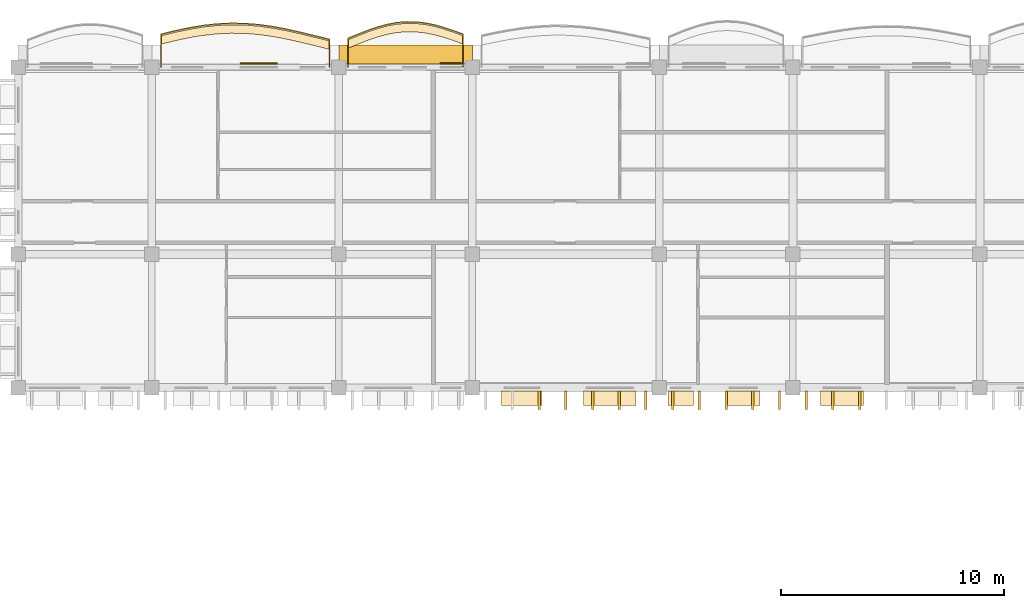
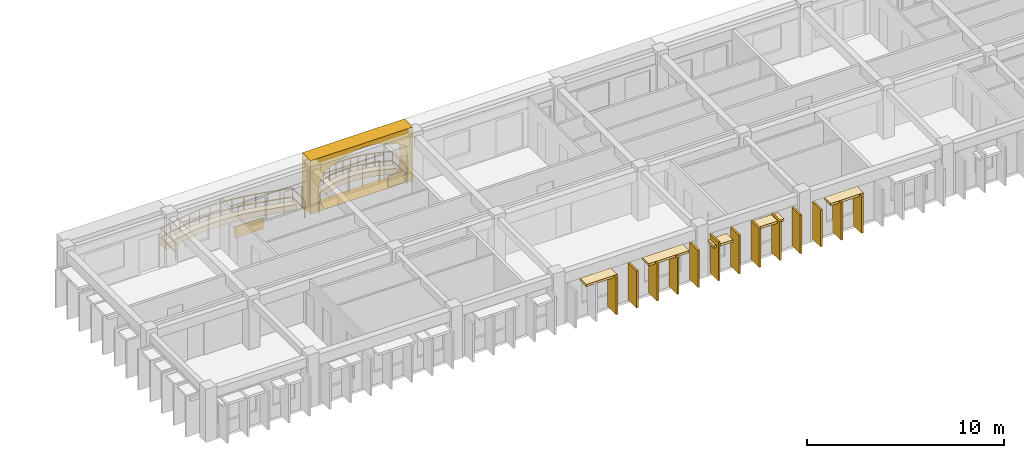
# One storey, part 53 of 66: 23 coverings, 2 railings.
"""IFC4 building model written with IfcOpenShell, lengths in metres."""

from ifc_helpers import new_model, si_unit, direction, frame, origin, origin_2d, place, context, subcontext, project, spatial, polyline, rectangle, outline, extrude, material, layer, layer_set, type_object, element, save


model = new_model("IFC4")

# Units and contexts
model_context = context("Model", 3, precision=1e-05, world=origin(), true_north=direction((0.0, 1.0)))
body_context = subcontext(model_context, "Body", "Model", "MODEL_VIEW")
ifc_project = project(units=[si_unit("LENGTHUNIT", "METRE"), si_unit("AREAUNIT", "SQUARE_METRE"), si_unit("VOLUMEUNIT", "CUBIC_METRE"), si_unit("PLANEANGLEUNIT", "RADIAN"), si_unit("MASSUNIT", "GRAM", prefix="KILO"), si_unit("THERMODYNAMICTEMPERATUREUNIT", "KELVIN")], contexts=[model_context])

# Site, building, storey
site_placement = place(None, origin())
site = spatial("IfcSite", under=ifc_project, at=site_placement, CompositionType="ELEMENT")
building_placement = place(site_placement, origin())
building = spatial("IfcBuilding", under=site, at=building_placement, Name="Thalorik Housing Commons", CompositionType="ELEMENT")
storey_placement = place(building_placement, frame((0.0, 0.0, 21.300048828125)))
storey = spatial("IfcBuildingStorey", under=building, at=storey_placement, Name="L06", CompositionType="ELEMENT", Elevation=21.300048828125)

# Coverings
ifc_material_1 = material(Name="Cobalt blue glazed ceramic facade tile panel", Category="masonry")
ifc_layer_1 = layer(ifc_material_1, 0.06005859375, Name="Cobalt blue glazed ceramic facade tile panel", Category="masonry")
ifc_layer_set_1 = layer_set([ifc_layer_1], Name="Cobalt blue glazed ceramic facade tile panel")
covering_type_1 = type_object("IfcCoveringType", Name="ARC-CLD-BLU-60", PredefinedType="CLADDING", material=ifc_layer_set_1)
covering_1_placement = place(storey_placement, frame((91.20654296875, 123.7724609375, 0.0498046875), z_axis=(0.0, 0.0, 1.0), x_axis=(-1.0, 0.0, 0.0)))
element("IfcCovering", 1, at=covering_1_placement, inside=storey, type_object=covering_type_1, Name="L06 De Stijl Recessed Window Spandrel 2385", PredefinedType="CLADDING", context=body_context, shape_type="SweptSolid", body=[
    extrude(rectangle(XDim=1.679931640625, YDim=0.06005859375, at=origin_2d()), origin(), (0.0, 0.0, 1.0), 0.699951171875),
])
ifc_material_2 = material(Name="Precast concrete C40/50", Category="concrete")
ifc_layer_2 = layer(ifc_material_2, 0.85009765625, Name="Precast concrete C40/50", Category="concrete")
ifc_layer_set_2 = layer_set([ifc_layer_2], Name="Precast concrete C40/50")
covering_type_2 = type_object("IfcCoveringType", Name="ARC-CLD-CUSH-850", PredefinedType="CLADDING", material=ifc_layer_set_2)
covering_2_placement = place(storey_placement, frame((97.800048828125, 124.16259765625, 0.0), z_axis=(0.0, 0.0, 1.0), x_axis=(-1.0, 0.0, 0.0)))
element("IfcCovering", 2, at=covering_2_placement, inside=storey, type_object=covering_type_2, Name="L06 White Precast Curved Cushion Bay Frame 2382", PredefinedType="CLADDING", context=body_context, shape_type="SweptSolid", body=[
    extrude(outline(polyline([(-3.0, 0.0), (3.0, 0.0), (3.0, 3.300048828125), (-3.0, 3.300048828125), (-3.0, 0.0)]), holes=[polyline([(2.14501953125, 0.02490234375), (2.3701171875, 0.407470703125), (2.5048828125, 0.7900390625), (2.550048828125, 1.172607421875), (2.5048828125, 1.554931640625), (2.3701171875, 1.9375), (2.14501953125, 2.320068359375), (1.75341796875, 2.539306640625), (1.36181640625, 2.711181640625), (0.969970703125, 2.8505859375), (0.578369140625, 2.954345703125), (0.186767578125, 3.018310546875), (-0.205078125, 3.0400390625), (-0.5966796875, 3.018310546875), (-0.98828125, 2.954345703125), (-1.3798828125, 2.8505859375), (-1.771728515625, 2.711181640625), (-2.163330078125, 2.539306640625), (-2.554931640625, 2.320068359375), (-2.64892578125, 1.9375), (-2.705322265625, 1.554931640625), (-2.72412109375, 1.172607421875), (-2.705322265625, 0.7900390625), (-2.64892578125, 0.407470703125), (-2.554931640625, 0.02490234375), (2.14501953125, 0.02490234375)])]), frame((0.0, 0.425048828125, 0.0), z_axis=(0.0, -1.0, 0.0), x_axis=(1.0, 0.0, 0.0)), (0.0, 0.0, 1.0), 0.85009765625),
])
ifc_layer_3 = layer(ifc_material_2, 0.85009765625, Name="Precast concrete C40/50", Category="concrete")
ifc_layer_set_3 = layer_set([ifc_layer_3], Name="Precast concrete C40/50")
covering_type_3 = type_object("IfcCoveringType", Name="ARC-CLD-FIN-850", PredefinedType="CLADDING", material=ifc_layer_set_3)
for number, where, z_axis, x_axis, name in (
    (3, (103.800048828125, 108.637451171875, 0.0400390625), (0.0, 0.0, 1.0), (1.0, 0.0, 0.0), "L06 Courtyard Precast Vertical Brise-Soleil Fin 2431"),
    (4, (105.0, 108.637451171875, 0.0400390625), (0.0, 0.0, 1.0), (1.0, 0.0, 0.0), "L06 Courtyard Precast Vertical Brise-Soleil Fin 2432"),
    (5, (106.199951171875, 108.637451171875, 0.0400390625), (0.0, 0.0, 1.0), (1.0, 0.0, 0.0), "L06 Courtyard Precast Vertical Brise-Soleil Fin 2433"),
    (6, (107.39990234375, 108.637451171875, 0.0400390625), (0.0, 0.0, 1.0), (1.0, 0.0, 0.0), "L06 Courtyard Precast Vertical Brise-Soleil Fin 2434"),
    (7, (108.60009765625, 108.637451171875, 0.0400390625), (0.0, 0.0, 1.0), (1.0, 0.0, 0.0), "L06 Courtyard Precast Vertical Brise-Soleil Fin 2435"),
):
    element("IfcCovering", number, at=place(storey_placement, frame(where, z_axis=z_axis, x_axis=x_axis)), inside=storey, type_object=covering_type_3, Name=name, PredefinedType="CLADDING", context=body_context, shape_type="SweptSolid", body=[
        extrude(rectangle(XDim=0.110107421875, YDim=0.85009765625, at=origin_2d()), origin(), (0.0, 0.0, 1.0), 2.294921875),
    ])
for number, where, z_axis, x_axis, name in (
    (8, (109.800048828125, 108.637451171875, 0.0400390625), (0.0, 0.0, 1.0), (1.0, 0.0, 0.0), "L06 Courtyard Precast Vertical Brise-Soleil Fin 2438"),
    (9, (111.0, 108.637451171875, 0.0400390625), (0.0, 0.0, 1.0), (1.0, 0.0, 0.0), "L06 Courtyard Precast Vertical Brise-Soleil Fin 2439"),
    (10, (112.199951171875, 108.637451171875, 0.0400390625), (0.0, 0.0, 1.0), (1.0, 0.0, 0.0), "L06 Courtyard Precast Vertical Brise-Soleil Fin 2440"),
    (11, (113.39990234375, 108.637451171875, 0.0400390625), (0.0, 0.0, 1.0), (1.0, 0.0, 0.0), "L06 Courtyard Precast Vertical Brise-Soleil Fin 2441"),
    (12, (114.60009765625, 108.637451171875, 0.0400390625), (0.0, 0.0, 1.0), (1.0, 0.0, 0.0), "L06 Courtyard Precast Vertical Brise-Soleil Fin 2442"),
):
    element("IfcCovering", number, at=place(storey_placement, frame(where, z_axis=z_axis, x_axis=x_axis)), inside=storey, type_object=covering_type_3, Name=name, PredefinedType="CLADDING", context=body_context, shape_type="SweptSolid", body=[
        extrude(rectangle(XDim=0.110107421875, YDim=0.85009765625, at=origin_2d()), origin(), (0.0, 0.0, 1.0), 2.39501953125),
    ])
for number, where, z_axis, x_axis, name in (
    (13, (115.800048828125, 108.637451171875, 0.0400390625), (0.0, 0.0, 1.0), (1.0, 0.0, 0.0), "L06 Courtyard Precast Vertical Brise-Soleil Fin 2445"),
    (14, (117.0, 108.637451171875, 0.0400390625), (0.0, 0.0, 1.0), (1.0, 0.0, 0.0), "L06 Courtyard Precast Vertical Brise-Soleil Fin 2446"),
    (15, (118.199951171875, 108.637451171875, 0.0400390625), (0.0, 0.0, 1.0), (1.0, 0.0, 0.0), "L06 Courtyard Precast Vertical Brise-Soleil Fin 2447"),
):
    element("IfcCovering", number, at=place(storey_placement, frame(where, z_axis=z_axis, x_axis=x_axis)), inside=storey, type_object=covering_type_3, Name=name, PredefinedType="CLADDING", context=body_context, shape_type="SweptSolid", body=[
        extrude(rectangle(XDim=0.110107421875, YDim=0.85009765625, at=origin_2d()), origin(), (0.0, 0.0, 1.0), 2.294921875),
    ])
ifc_layer_4 = layer(ifc_material_2, 0.64990234375, Name="Precast concrete C40/50", Category="concrete")
ifc_layer_set_4 = layer_set([ifc_layer_4], Name="Precast concrete C40/50")
covering_type_4 = type_object("IfcCoveringType", Name="ARC-CLD-HOOD-650", PredefinedType="CLADDING", material=ifc_layer_set_4)
covering_3_placement = place(storey_placement, frame((103.030029296875, 108.737548828125, 2.22509765625), z_axis=(0.0, 0.0, 1.0), x_axis=(1.0, 0.0, 0.0)))
element("IfcCovering", 16, at=covering_3_placement, inside=storey, type_object=covering_type_4, Name="L06 Courtyard Precast Window Sun-Hood 2436", PredefinedType="CLADDING", context=body_context, shape_type="SweptSolid", body=[
    extrude(rectangle(XDim=1.820068359375, YDim=0.64990234375, at=origin_2d()), origin(), (0.0, 0.0, 1.0), 0.139892578125),
])
covering_4_placement = place(storey_placement, frame((106.969970703125, 108.737548828125, 2.22509765625), z_axis=(0.0, 0.0, 1.0), x_axis=(1.0, 0.0, 0.0)))
element("IfcCovering", 17, at=covering_4_placement, inside=storey, type_object=covering_type_4, Name="L06 Courtyard Precast Window Sun-Hood 2437", PredefinedType="CLADDING", context=body_context, shape_type="SweptSolid", body=[
    extrude(rectangle(XDim=2.360107421875, YDim=0.64990234375, at=origin_2d()), origin(), (0.0, 0.0, 1.0), 0.139892578125),
])
covering_5_placement = place(storey_placement, frame((110.1650390625, 108.737548828125, 1.990234375), z_axis=(0.0, 0.0, 1.0), x_axis=(1.0, 0.0, 0.0)))
element("IfcCovering", 18, at=covering_5_placement, inside=storey, type_object=covering_type_4, Name="L06 Courtyard Precast Window Sun-Hood 2443", PredefinedType="CLADDING", context=body_context, shape_type="SweptSolid", body=[
    extrude(rectangle(XDim=1.139892578125, YDim=0.64990234375, at=origin_2d()), origin(), (0.0, 0.0, 1.0), 0.139892578125),
])
covering_6_placement = place(storey_placement, frame((112.97509765625, 108.737548828125, 2.240234375), z_axis=(0.0, 0.0, 1.0), x_axis=(1.0, 0.0, 0.0)))
element("IfcCovering", 19, at=covering_6_placement, inside=storey, type_object=covering_type_4, Name="L06 Courtyard Precast Window Sun-Hood 2444", PredefinedType="CLADDING", context=body_context, shape_type="SweptSolid", body=[
    extrude(rectangle(XDim=1.489990234375, YDim=0.64990234375, at=origin_2d()), origin(), (0.0, 0.0, 1.0), 0.139892578125),
])
covering_7_placement = place(storey_placement, frame((117.409912109375, 108.737548828125, 2.22509765625), z_axis=(0.0, 0.0, 1.0), x_axis=(1.0, 0.0, 0.0)))
element("IfcCovering", 20, at=covering_7_placement, inside=storey, type_object=covering_type_4, Name="L06 Courtyard Precast Window Sun-Hood 2452", PredefinedType="CLADDING", context=body_context, shape_type="SweptSolid", body=[
    extrude(rectangle(XDim=1.919921875, YDim=0.64990234375, at=origin_2d()), origin(), (0.0, 0.0, 1.0), 0.139892578125),
])
ifc_material_3 = material(Name="Terracotta red mineral fibre-cement panel", Category="masonry")
ifc_layer_5 = layer(ifc_material_3, 0.054931640625, Name="Terracotta red mineral fibre-cement panel", Category="masonry")
ifc_layer_set_5 = layer_set([ifc_layer_5], Name="Terracotta red mineral fibre-cement panel")
covering_type_5 = type_object("IfcCoveringType", Name="ARC-CLD-RED-55", PredefinedType="CLADDING", material=ifc_layer_set_5)
covering_8_placement = place(storey_placement, frame((99.830078125, 123.77001953125, 0.0498046875), z_axis=(0.0, 0.0, 1.0), x_axis=(-1.0, 0.0, 0.0)))
element("IfcCovering", 21, at=covering_8_placement, inside=storey, type_object=covering_type_5, Name="L06 De Stijl Recessed Window Spandrel 2383", PredefinedType="CLADDING", context=body_context, shape_type="SweptSolid", body=[
    extrude(rectangle(XDim=0.949951171875, YDim=0.054931640625, at=origin_2d()), origin(), (0.0, 0.0, 1.0), 0.699951171875),
])
ifc_material_4 = material(Name="Planted vegetated substrate and terracotta trough", Category="masonry")
ifc_layer_6 = layer(ifc_material_4, 0.340087890625, Name="Planted vegetated substrate and terracotta trough", Category="masonry")
ifc_layer_set_6 = layer_set([ifc_layer_6], Name="Planted vegetated substrate and terracotta trough")
covering_type_6 = type_object("IfcCoveringType", Name="ARC-COV-PLANTER", PredefinedType="USERDEFINED", material=ifc_layer_set_6)
covering_9_placement = place(storey_placement, origin())
element("IfcCovering", 22, at=covering_9_placement, inside=storey, type_object=covering_type_6, Name="L06 Balcony Slab-Edge Planted Trough 5486", ObjectType="PLANTER", PredefinedType="USERDEFINED", context=body_context, shape_type="SweptSolid", body=[
    extrude(outline(polyline([(94.3798828125, 124.78271484375), (93.75, 124.938720703125), (93.1201171875, 125.0927734375), (92.489990234375, 125.234619140625), (91.860107421875, 125.35400390625), (91.22998046875, 125.443115234375), (90.60009765625, 125.49560546875), (89.969970703125, 125.507080078125), (89.340087890625, 125.477294921875), (88.7099609375, 125.40771484375), (88.080078125, 125.302978515625), (87.449951171875, 125.170166015625), (86.820068359375, 125.017822265625), (86.820068359375, 124.6376953125), (87.449951171875, 124.7900390625), (88.080078125, 124.923095703125), (88.7099609375, 125.02783203125), (89.340087890625, 125.097412109375), (89.969970703125, 125.127197265625), (90.60009765625, 125.115478515625), (91.22998046875, 125.063232421875), (91.860107421875, 124.97412109375), (92.489990234375, 124.8544921875), (93.1201171875, 124.712890625), (93.75, 124.55859375), (94.3798828125, 124.402587890625), (94.3798828125, 124.78271484375)])), origin(), (0.0, 0.0, 1.0), 0.33984375),
])
covering_10_placement = place(storey_placement, origin())
element("IfcCovering", 23, at=covering_10_placement, inside=storey, type_object=covering_type_6, Name="L06 Balcony Slab-Edge Planted Trough 5487", ObjectType="PLANTER", PredefinedType="USERDEFINED", context=body_context, shape_type="SweptSolid", body=[
    extrude(outline(polyline([(100.3798828125, 125.017578125), (99.949951171875, 125.17578125), (99.52001953125, 125.31884765625), (99.090087890625, 125.43701171875), (98.659912109375, 125.522216796875), (98.22998046875, 125.56787109375), (97.800048828125, 125.570556640625), (97.3701171875, 125.529296875), (96.93994140625, 125.446533203125), (96.510009765625, 125.3271484375), (96.080078125, 125.17822265625), (95.64990234375, 125.009521484375), (95.219970703125, 124.83154296875), (95.219970703125, 124.45166015625), (95.64990234375, 124.62939453125), (96.080078125, 124.798095703125), (96.510009765625, 124.947021484375), (96.93994140625, 125.066650390625), (97.3701171875, 125.1494140625), (97.800048828125, 125.1904296875), (98.22998046875, 125.187744140625), (98.659912109375, 125.14208984375), (99.090087890625, 125.05712890625), (99.52001953125, 124.938720703125), (99.949951171875, 124.795654296875), (100.3798828125, 124.6376953125), (100.3798828125, 125.017578125)])), origin(), (0.0, 0.0, 1.0), 0.33984375),
])

# Railings
ifc_material_5 = material(Name="Steel S355", Category="steel")
railing_type_1 = type_object("IfcRailingType", Name="ARC-RL-BAL-112", PredefinedType="BALUSTRADE", material=ifc_material_5)
railing_1_placement = place(storey_placement, frame((94.3798828125, 123.60009765625, 0.0)))
element("IfcRailing", 24, at=railing_1_placement, inside=storey, type_object=railing_type_1, Name="L06 Cushion Balcony Guardrail 170", PredefinedType="BALUSTRADE", context=body_context, shape_type="SweptSolid", body=[
    extrude(rectangle(XDim=0.050048828125, YDim=0.050048828125, at=origin_2d()), frame((0.0, 0.0, 1.09521484375), z_axis=(0.0, 1.0, 0.0), x_axis=(-1.0, 0.0, 0.0)), (0.0, 0.0, 1.0), 1.25244140625),
    extrude(rectangle(XDim=0.050048828125, YDim=0.050048828125, at=origin_2d()), frame((0.0, 0.0, 0.53515625), z_axis=(0.0, 1.0, 0.0), x_axis=(-1.0, 0.0, 0.0)), (0.0, 0.0, 1.0), 1.25244140625),
    extrude(rectangle(XDim=0.050048828125, YDim=0.050048828125, at=origin_2d()), frame((0.0, 1.25244140625, 1.09521484375), z_axis=(-0.970583467402, 0.240764891139, 0.0), x_axis=(-0.240764891139, -0.970583467402, 0.0)), (0.0, 0.0, 1.0), 0.64892578125),
    extrude(rectangle(XDim=0.050048828125, YDim=0.050048828125, at=origin_2d()), frame((0.0, 1.25244140625, 0.53515625), z_axis=(-0.970583467402, 0.240764891139, 0.0), x_axis=(-0.240764891139, -0.970583467402, 0.0)), (0.0, 0.0, 1.0), 0.64892578125),
    extrude(rectangle(XDim=0.050048828125, YDim=0.050048828125, at=origin_2d()), frame((-0.6298828125, 1.40869140625, 1.09521484375), z_axis=(-0.971370051234, 0.23757151253, 0.0), x_axis=(-0.23757151253, -0.971370051234, 0.0)), (0.0, 0.0, 1.0), 0.6484375),
    extrude(rectangle(XDim=0.050048828125, YDim=0.050048828125, at=origin_2d()), frame((-0.6298828125, 1.40869140625, 0.53515625), z_axis=(-0.971370051234, 0.23757151253, 0.0), x_axis=(-0.23757151253, -0.971370051234, 0.0)), (0.0, 0.0, 1.0), 0.6484375),
    extrude(rectangle(XDim=0.050048828125, YDim=0.050048828125, at=origin_2d()), frame((-1.259765625, 1.562744140625, 1.09521484375), z_axis=(-0.975587490028, 0.219611132006, 0.0), x_axis=(-0.219611132006, -0.975587490028, 0.0)), (0.0, 0.0, 1.0), 0.64599609375),
    extrude(rectangle(XDim=0.050048828125, YDim=0.050048828125, at=origin_2d()), frame((-1.259765625, 1.562744140625, 0.53515625), z_axis=(-0.975587490028, 0.219611132006, 0.0), x_axis=(-0.219611132006, -0.975587490028, 0.0)), (0.0, 0.0, 1.0), 0.64599609375),
    extrude(rectangle(XDim=0.050048828125, YDim=0.050048828125, at=origin_2d()), frame((-1.889892578125, 1.70458984375, 1.09521484375), z_axis=(-0.982508153778, 0.186219568681, 0.0), x_axis=(-0.186219568681, -0.982508153778, 0.0)), (0.0, 0.0, 1.0), 0.64111328125),
    extrude(rectangle(XDim=0.050048828125, YDim=0.050048828125, at=origin_2d()), frame((-1.889892578125, 1.70458984375, 0.53515625), z_axis=(-0.982508153778, 0.186219568681, 0.0), x_axis=(-0.186219568681, -0.982508153778, 0.0)), (0.0, 0.0, 1.0), 0.64111328125),
    extrude(rectangle(XDim=0.050048828125, YDim=0.050048828125, at=origin_2d()), frame((-2.519775390625, 1.823974609375, 1.09521484375), z_axis=(-0.990147996171, 0.140024803798, 0.0), x_axis=(-0.140024803798, -0.990147996171, 0.0)), (0.0, 0.0, 1.0), 0.636474609375),
    extrude(rectangle(XDim=0.050048828125, YDim=0.050048828125, at=origin_2d()), frame((-2.519775390625, 1.823974609375, 0.53515625), z_axis=(-0.990147996171, 0.140024803798, 0.0), x_axis=(-0.140024803798, -0.990147996171, 0.0)), (0.0, 0.0, 1.0), 0.636474609375),
    extrude(rectangle(XDim=0.050048828125, YDim=0.050048828125, at=origin_2d()), frame((-3.14990234375, 1.9130859375, 1.09521484375), z_axis=(-0.996577651619, 0.082661867227, 0.0), x_axis=(-0.082661867227, -0.996577651619, 0.0)), (0.0, 0.0, 1.0), 0.632080078125),
    extrude(rectangle(XDim=0.050048828125, YDim=0.050048828125, at=origin_2d()), frame((-3.14990234375, 1.9130859375, 0.53515625), z_axis=(-0.996577651619, 0.082661867227, 0.0), x_axis=(-0.082661867227, -0.996577651619, 0.0)), (0.0, 0.0, 1.0), 0.632080078125),
    extrude(rectangle(XDim=0.050048828125, YDim=0.050048828125, at=origin_2d()), frame((-3.77978515625, 1.96533203125, 1.09521484375), z_axis=(-0.999827112405, 0.018594227584, 0.0), x_axis=(-0.018594227584, -0.999827112405, 0.0)), (0.0, 0.0, 1.0), 0.630126953125),
    extrude(rectangle(XDim=0.050048828125, YDim=0.050048828125, at=origin_2d()), frame((-3.77978515625, 1.96533203125, 0.53515625), z_axis=(-0.999827112405, 0.018594227584, 0.0), x_axis=(-0.018594227584, -0.999827112405, 0.0)), (0.0, 0.0, 1.0), 0.630126953125),
    extrude(rectangle(XDim=0.050048828125, YDim=0.050048828125, at=origin_2d()), frame((-4.409912109375, 1.97705078125, 1.09521484375), z_axis=(-0.998883849719, -0.047234042506, 0.0), x_axis=(0.047234042506, -0.998883849719, 0.0)), (0.0, 0.0, 1.0), 0.630615234375),
    extrude(rectangle(XDim=0.050048828125, YDim=0.050048828125, at=origin_2d()), frame((-4.409912109375, 1.97705078125, 0.53515625), z_axis=(-0.998883849719, -0.047234042506, 0.0), x_axis=(0.047234042506, -0.998883849719, 0.0)), (0.0, 0.0, 1.0), 0.630615234375),
    extrude(rectangle(XDim=0.050048828125, YDim=0.050048828125, at=origin_2d()), frame((-5.039794921875, 1.947265625, 1.09521484375), z_axis=(-0.993958647225, -0.109755216761, 0.0), x_axis=(0.109755216761, -0.993958647225, 0.0)), (0.0, 0.0, 1.0), 0.634033203125),
    extrude(rectangle(XDim=0.050048828125, YDim=0.050048828125, at=origin_2d()), frame((-5.039794921875, 1.947265625, 0.53515625), z_axis=(-0.993958647225, -0.109755216761, 0.0), x_axis=(0.109755216761, -0.993958647225, 0.0)), (0.0, 0.0, 1.0), 0.634033203125),
    extrude(rectangle(XDim=0.050048828125, YDim=0.050048828125, at=origin_2d()), frame((-5.669921875, 1.877685546875, 1.09521484375), z_axis=(-0.986455855934, -0.164026962091, 0.0), x_axis=(0.164026962091, -0.986455855934, 0.0)), (0.0, 0.0, 1.0), 0.638427734375),
    extrude(rectangle(XDim=0.050048828125, YDim=0.050048828125, at=origin_2d()), frame((-5.669921875, 1.877685546875, 0.53515625), z_axis=(-0.986455855934, -0.164026962091, 0.0), x_axis=(0.164026962091, -0.986455855934, 0.0)), (0.0, 0.0, 1.0), 0.638427734375),
    extrude(rectangle(XDim=0.050048828125, YDim=0.050048828125, at=origin_2d()), frame((-6.2998046875, 1.77294921875, 1.09521484375), z_axis=(-0.97842491914, -0.206602704739, 0.0), x_axis=(0.206602704739, -0.97842491914, 0.0)), (0.0, 0.0, 1.0), 0.64404296875),
    extrude(rectangle(XDim=0.050048828125, YDim=0.050048828125, at=origin_2d()), frame((-6.2998046875, 1.77294921875, 0.53515625), z_axis=(-0.97842491914, -0.206602704739, 0.0), x_axis=(0.206602704739, -0.97842491914, 0.0)), (0.0, 0.0, 1.0), 0.64404296875),
    extrude(rectangle(XDim=0.050048828125, YDim=0.050048828125, at=origin_2d()), frame((-6.929931640625, 1.639892578125, 1.09521484375), z_axis=(-0.972061461367, -0.23472646916, 0.0), x_axis=(0.23472646916, -0.972061461367, 0.0)), (0.0, 0.0, 1.0), 0.64794921875),
    extrude(rectangle(XDim=0.050048828125, YDim=0.050048828125, at=origin_2d()), frame((-6.929931640625, 1.639892578125, 0.53515625), z_axis=(-0.972061461367, -0.23472646916, 0.0), x_axis=(0.23472646916, -0.972061461367, 0.0)), (0.0, 0.0, 1.0), 0.64794921875),
    extrude(rectangle(XDim=0.050048828125, YDim=0.050048828125, at=origin_2d()), frame((-7.559814453125, 1.48779296875, 1.09521484375), z_axis=(0.0, -1.0, 0.0), x_axis=(1.0, 0.0, 0.0)), (0.0, 0.0, 1.0), 1.48779296875),
    extrude(rectangle(XDim=0.050048828125, YDim=0.050048828125, at=origin_2d()), frame((-7.559814453125, 1.48779296875, 0.53515625), z_axis=(0.0, -1.0, 0.0), x_axis=(1.0, 0.0, 0.0)), (0.0, 0.0, 1.0), 1.48779296875),
    extrude(rectangle(XDim=0.0419921875, YDim=0.0419921875, at=origin_2d()), origin(), (0.0, 0.0, 1.0), 1.070068359375),
    extrude(rectangle(XDim=0.0419921875, YDim=0.0419921875, at=origin_2d()), frame((0.0, 1.25244140625, 0.0)), (0.0, 0.0, 1.0), 1.070068359375),
    extrude(rectangle(XDim=0.0419921875, YDim=0.0419921875, at=origin_2d()), frame((-0.6298828125, 1.40869140625, 0.0)), (0.0, 0.0, 1.0), 1.070068359375),
    extrude(rectangle(XDim=0.0419921875, YDim=0.0419921875, at=origin_2d()), frame((-1.259765625, 1.562744140625, 0.0)), (0.0, 0.0, 1.0), 1.070068359375),
    extrude(rectangle(XDim=0.0419921875, YDim=0.0419921875, at=origin_2d()), frame((-1.889892578125, 1.70458984375, 0.0)), (0.0, 0.0, 1.0), 1.070068359375),
    extrude(rectangle(XDim=0.0419921875, YDim=0.0419921875, at=origin_2d()), frame((-2.519775390625, 1.823974609375, 0.0)), (0.0, 0.0, 1.0), 1.070068359375),
    extrude(rectangle(XDim=0.0419921875, YDim=0.0419921875, at=origin_2d()), frame((-3.14990234375, 1.9130859375, 0.0)), (0.0, 0.0, 1.0), 1.070068359375),
    extrude(rectangle(XDim=0.0419921875, YDim=0.0419921875, at=origin_2d()), frame((-3.77978515625, 1.96533203125, 0.0)), (0.0, 0.0, 1.0), 1.070068359375),
    extrude(rectangle(XDim=0.0419921875, YDim=0.0419921875, at=origin_2d()), frame((-4.409912109375, 1.97705078125, 0.0)), (0.0, 0.0, 1.0), 1.070068359375),
    extrude(rectangle(XDim=0.0419921875, YDim=0.0419921875, at=origin_2d()), frame((-5.039794921875, 1.947265625, 0.0)), (0.0, 0.0, 1.0), 1.070068359375),
    extrude(rectangle(XDim=0.0419921875, YDim=0.0419921875, at=origin_2d()), frame((-5.669921875, 1.877685546875, 0.0)), (0.0, 0.0, 1.0), 1.070068359375),
    extrude(rectangle(XDim=0.0419921875, YDim=0.0419921875, at=origin_2d()), frame((-6.2998046875, 1.77294921875, 0.0)), (0.0, 0.0, 1.0), 1.070068359375),
    extrude(rectangle(XDim=0.0419921875, YDim=0.0419921875, at=origin_2d()), frame((-6.929931640625, 1.639892578125, 0.0)), (0.0, 0.0, 1.0), 1.070068359375),
    extrude(rectangle(XDim=0.0419921875, YDim=0.0419921875, at=origin_2d()), frame((-7.559814453125, 1.48779296875, 0.0)), (0.0, 0.0, 1.0), 1.070068359375),
    extrude(rectangle(XDim=0.0419921875, YDim=0.0419921875, at=origin_2d()), frame((-7.559814453125, 0.0, 0.0)), (0.0, 0.0, 1.0), 1.070068359375),
])
railing_type_2 = type_object("IfcRailingType", Name="ARC-RL-BAL-115", PredefinedType="BALUSTRADE", material=ifc_material_5)
railing_2_placement = place(storey_placement, frame((100.3798828125, 123.60009765625, 0.0)))
element("IfcRailing", 25, at=railing_2_placement, inside=storey, type_object=railing_type_2, Name="L06 Cushion Balcony Guardrail 171", PredefinedType="BALUSTRADE", context=body_context, shape_type="SweptSolid", body=[
    extrude(rectangle(XDim=0.050048828125, YDim=0.050048828125, at=origin_2d()), frame((0.0, 0.0, 1.125), z_axis=(0.0, 1.0, 0.0), x_axis=(-1.0, 0.0, 0.0)), (0.0, 0.0, 1.0), 1.487548828125),
    extrude(rectangle(XDim=0.050048828125, YDim=0.050048828125, at=origin_2d()), frame((0.0, 0.0, 0.5498046875), z_axis=(0.0, 1.0, 0.0), x_axis=(-1.0, 0.0, 0.0)), (0.0, 0.0, 1.0), 1.487548828125),
    extrude(rectangle(XDim=0.050048828125, YDim=0.050048828125, at=origin_2d()), frame((0.0, 1.487548828125, 1.125), z_axis=(-0.938652153889, 0.34486538533, 0.0), x_axis=(-0.34486538533, -0.938652153889, 0.0)), (0.0, 0.0, 1.0), 0.4580078125),
    extrude(rectangle(XDim=0.050048828125, YDim=0.050048828125, at=origin_2d()), frame((0.0, 1.487548828125, 0.5498046875), z_axis=(-0.938652153889, 0.34486538533, 0.0), x_axis=(-0.34486538533, -0.938652153889, 0.0)), (0.0, 0.0, 1.0), 0.4580078125),
    extrude(rectangle(XDim=0.050048828125, YDim=0.050048828125, at=origin_2d()), frame((-0.429931640625, 1.6455078125, 1.125), z_axis=(-0.948683298051, 0.316227766017, 0.0), x_axis=(-0.316227766017, -0.948683298051, 0.0)), (0.0, 0.0, 1.0), 0.453125),
    extrude(rectangle(XDim=0.050048828125, YDim=0.050048828125, at=origin_2d()), frame((-0.429931640625, 1.6455078125, 0.5498046875), z_axis=(-0.948683298051, 0.316227766017, 0.0), x_axis=(-0.316227766017, -0.948683298051, 0.0)), (0.0, 0.0, 1.0), 0.453125),
    extrude(rectangle(XDim=0.050048828125, YDim=0.050048828125, at=origin_2d()), frame((-0.85986328125, 1.788818359375, 1.125), z_axis=(-0.964243880098, 0.265016489476, 0.0), x_axis=(-0.265016489476, -0.964243880098, 0.0)), (0.0, 0.0, 1.0), 0.44580078125),
    extrude(rectangle(XDim=0.050048828125, YDim=0.050048828125, at=origin_2d()), frame((-0.85986328125, 1.788818359375, 0.5498046875), z_axis=(-0.964243880098, 0.265016489476, 0.0), x_axis=(-0.265016489476, -0.964243880098, 0.0)), (0.0, 0.0, 1.0), 0.44580078125),
    extrude(rectangle(XDim=0.050048828125, YDim=0.050048828125, at=origin_2d()), frame((-1.289794921875, 1.906982421875, 1.125), z_axis=(-0.981048969075, 0.1937599553, 0.0), x_axis=(-0.1937599553, -0.981048969075, 0.0)), (0.0, 0.0, 1.0), 0.4384765625),
    extrude(rectangle(XDim=0.050048828125, YDim=0.050048828125, at=origin_2d()), frame((-1.289794921875, 1.906982421875, 0.5498046875), z_axis=(-0.981048969075, 0.1937599553, 0.0), x_axis=(-0.1937599553, -0.981048969075, 0.0)), (0.0, 0.0, 1.0), 0.4384765625),
    extrude(rectangle(XDim=0.050048828125, YDim=0.050048828125, at=origin_2d()), frame((-1.719970703125, 1.991943359375, 1.125), z_axis=(-0.994409116474, 0.105595970915, 0.0), x_axis=(-0.105595970915, -0.994409116474, 0.0)), (0.0, 0.0, 1.0), 0.432373046875),
    extrude(rectangle(XDim=0.050048828125, YDim=0.050048828125, at=origin_2d()), frame((-1.719970703125, 1.991943359375, 0.5498046875), z_axis=(-0.994409116474, 0.105595970915, 0.0), x_axis=(-0.105595970915, -0.994409116474, 0.0)), (0.0, 0.0, 1.0), 0.432373046875),
    extrude(rectangle(XDim=0.050048828125, YDim=0.050048828125, at=origin_2d()), frame((-2.14990234375, 2.03759765625, 1.125), z_axis=(-0.999980491497, 0.006246329021, 0.0), x_axis=(-0.006246329021, -0.999980491497, 0.0)), (0.0, 0.0, 1.0), 0.429931640625),
    extrude(rectangle(XDim=0.050048828125, YDim=0.050048828125, at=origin_2d()), frame((-2.14990234375, 2.03759765625, 0.5498046875), z_axis=(-0.999980491497, 0.006246329021, 0.0), x_axis=(-0.006246329021, -0.999980491497, 0.0)), (0.0, 0.0, 1.0), 0.429931640625),
    extrude(rectangle(XDim=0.050048828125, YDim=0.050048828125, at=origin_2d()), frame((-2.579833984375, 2.040283203125, 1.125), z_axis=(-0.995480215882, -0.094969151771, 0.0), x_axis=(0.094969151771, -0.995480215882, 0.0)), (0.0, 0.0, 1.0), 0.431884765625),
    extrude(rectangle(XDim=0.050048828125, YDim=0.050048828125, at=origin_2d()), frame((-2.579833984375, 2.040283203125, 0.5498046875), z_axis=(-0.995480215882, -0.094969151771, 0.0), x_axis=(0.094969151771, -0.995480215882, 0.0)), (0.0, 0.0, 1.0), 0.431884765625),
    extrude(rectangle(XDim=0.050048828125, YDim=0.050048828125, at=origin_2d()), frame((-3.009765625, 1.999267578125, 1.125), z_axis=(-0.981990542905, -0.188930076075, 0.0), x_axis=(0.188930076075, -0.981990542905, 0.0)), (0.0, 0.0, 1.0), 0.43798828125),
    extrude(rectangle(XDim=0.050048828125, YDim=0.050048828125, at=origin_2d()), frame((-3.009765625, 1.999267578125, 0.5498046875), z_axis=(-0.981990542905, -0.188930076075, 0.0), x_axis=(0.188930076075, -0.981990542905, 0.0)), (0.0, 0.0, 1.0), 0.43798828125),
    extrude(rectangle(XDim=0.050048828125, YDim=0.050048828125, at=origin_2d()), frame((-3.43994140625, 1.91650390625, 1.125), z_axis=(-0.963541422637, -0.267559202538, 0.0), x_axis=(0.267559202538, -0.963541422637, 0.0)), (0.0, 0.0, 1.0), 0.4462890625),
    extrude(rectangle(XDim=0.050048828125, YDim=0.050048828125, at=origin_2d()), frame((-3.43994140625, 1.91650390625, 0.5498046875), z_axis=(-0.963541422637, -0.267559202538, 0.0), x_axis=(0.267559202538, -0.963541422637, 0.0)), (0.0, 0.0, 1.0), 0.4462890625),
    extrude(rectangle(XDim=0.050048828125, YDim=0.050048828125, at=origin_2d()), frame((-3.869873046875, 1.797119140625, 1.125), z_axis=(-0.944915878201, -0.327313279786, 0.0), x_axis=(0.327313279786, -0.944915878201, 0.0)), (0.0, 0.0, 1.0), 0.455078125),
    extrude(rectangle(XDim=0.050048828125, YDim=0.050048828125, at=origin_2d()), frame((-3.869873046875, 1.797119140625, 0.5498046875), z_axis=(-0.944915878201, -0.327313279786, 0.0), x_axis=(0.327313279786, -0.944915878201, 0.0)), (0.0, 0.0, 1.0), 0.455078125),
    extrude(rectangle(XDim=0.050048828125, YDim=0.050048828125, at=origin_2d()), frame((-4.2998046875, 1.648193359375, 1.125), z_axis=(-0.93096967722, -0.365096507922, 0.0), x_axis=(0.365096507922, -0.93096967722, 0.0)), (0.0, 0.0, 1.0), 0.462158203125),
    extrude(rectangle(XDim=0.050048828125, YDim=0.050048828125, at=origin_2d()), frame((-4.2998046875, 1.648193359375, 0.5498046875), z_axis=(-0.93096967722, -0.365096507922, 0.0), x_axis=(0.365096507922, -0.93096967722, 0.0)), (0.0, 0.0, 1.0), 0.462158203125),
    extrude(rectangle(XDim=0.050048828125, YDim=0.050048828125, at=origin_2d()), frame((-4.72998046875, 1.4794921875, 1.125), z_axis=(-0.923959293734, -0.382490814953, 0.0), x_axis=(0.382490814953, -0.923959293734, 0.0)), (0.0, 0.0, 1.0), 0.46533203125),
    extrude(rectangle(XDim=0.050048828125, YDim=0.050048828125, at=origin_2d()), frame((-4.72998046875, 1.4794921875, 0.5498046875), z_axis=(-0.923959293734, -0.382490814953, 0.0), x_axis=(0.382490814953, -0.923959293734, 0.0)), (0.0, 0.0, 1.0), 0.46533203125),
    extrude(rectangle(XDim=0.050048828125, YDim=0.050048828125, at=origin_2d()), frame((-5.159912109375, 1.301513671875, 1.125), z_axis=(0.0, -1.0, 0.0), x_axis=(1.0, 0.0, 0.0)), (0.0, 0.0, 1.0), 1.301513671875),
    extrude(rectangle(XDim=0.050048828125, YDim=0.050048828125, at=origin_2d()), frame((-5.159912109375, 1.301513671875, 0.5498046875), z_axis=(0.0, -1.0, 0.0), x_axis=(1.0, 0.0, 0.0)), (0.0, 0.0, 1.0), 1.301513671875),
    extrude(rectangle(XDim=0.0419921875, YDim=0.0419921875, at=origin_2d()), origin(), (0.0, 0.0, 1.0), 1.099853515625),
    extrude(rectangle(XDim=0.0419921875, YDim=0.0419921875, at=origin_2d()), frame((0.0, 1.487548828125, 0.0)), (0.0, 0.0, 1.0), 1.099853515625),
    extrude(rectangle(XDim=0.0419921875, YDim=0.0419921875, at=origin_2d()), frame((-0.429931640625, 1.6455078125, 0.0)), (0.0, 0.0, 1.0), 1.099853515625),
    extrude(rectangle(XDim=0.0419921875, YDim=0.0419921875, at=origin_2d()), frame((-0.85986328125, 1.788818359375, 0.0)), (0.0, 0.0, 1.0), 1.099853515625),
    extrude(rectangle(XDim=0.0419921875, YDim=0.0419921875, at=origin_2d()), frame((-1.289794921875, 1.906982421875, 0.0)), (0.0, 0.0, 1.0), 1.099853515625),
    extrude(rectangle(XDim=0.0419921875, YDim=0.0419921875, at=origin_2d()), frame((-1.719970703125, 1.991943359375, 0.0)), (0.0, 0.0, 1.0), 1.099853515625),
    extrude(rectangle(XDim=0.0419921875, YDim=0.0419921875, at=origin_2d()), frame((-2.14990234375, 2.03759765625, 0.0)), (0.0, 0.0, 1.0), 1.099853515625),
    extrude(rectangle(XDim=0.0419921875, YDim=0.0419921875, at=origin_2d()), frame((-2.579833984375, 2.040283203125, 0.0)), (0.0, 0.0, 1.0), 1.099853515625),
    extrude(rectangle(XDim=0.0419921875, YDim=0.0419921875, at=origin_2d()), frame((-3.009765625, 1.999267578125, 0.0)), (0.0, 0.0, 1.0), 1.099853515625),
    extrude(rectangle(XDim=0.0419921875, YDim=0.0419921875, at=origin_2d()), frame((-3.43994140625, 1.91650390625, 0.0)), (0.0, 0.0, 1.0), 1.099853515625),
    extrude(rectangle(XDim=0.0419921875, YDim=0.0419921875, at=origin_2d()), frame((-3.869873046875, 1.797119140625, 0.0)), (0.0, 0.0, 1.0), 1.099853515625),
    extrude(rectangle(XDim=0.0419921875, YDim=0.0419921875, at=origin_2d()), frame((-4.2998046875, 1.648193359375, 0.0)), (0.0, 0.0, 1.0), 1.099853515625),
    extrude(rectangle(XDim=0.0419921875, YDim=0.0419921875, at=origin_2d()), frame((-4.72998046875, 1.4794921875, 0.0)), (0.0, 0.0, 1.0), 1.099853515625),
    extrude(rectangle(XDim=0.0419921875, YDim=0.0419921875, at=origin_2d()), frame((-5.159912109375, 1.301513671875, 0.0)), (0.0, 0.0, 1.0), 1.099853515625),
    extrude(rectangle(XDim=0.0419921875, YDim=0.0419921875, at=origin_2d()), frame((-5.159912109375, 0.0, 0.0)), (0.0, 0.0, 1.0), 1.099853515625),
])

save(model, "model.ifc")
